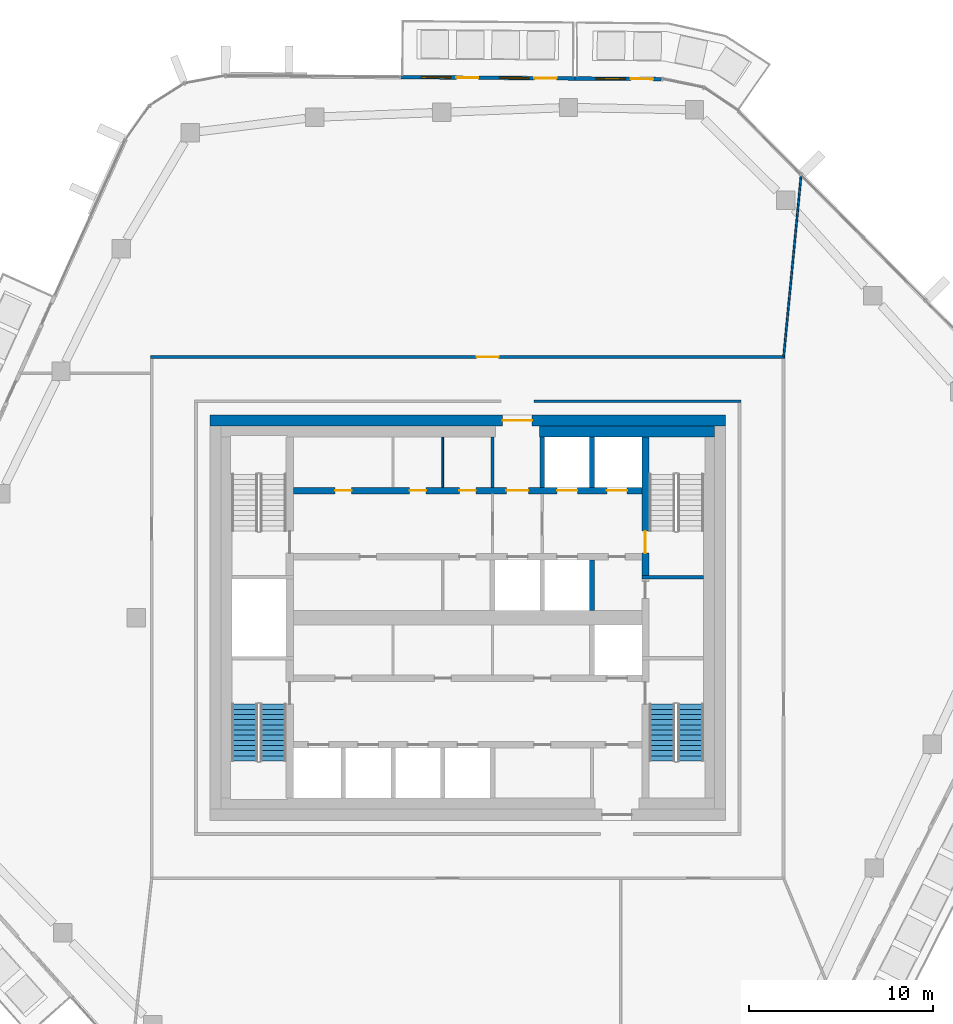
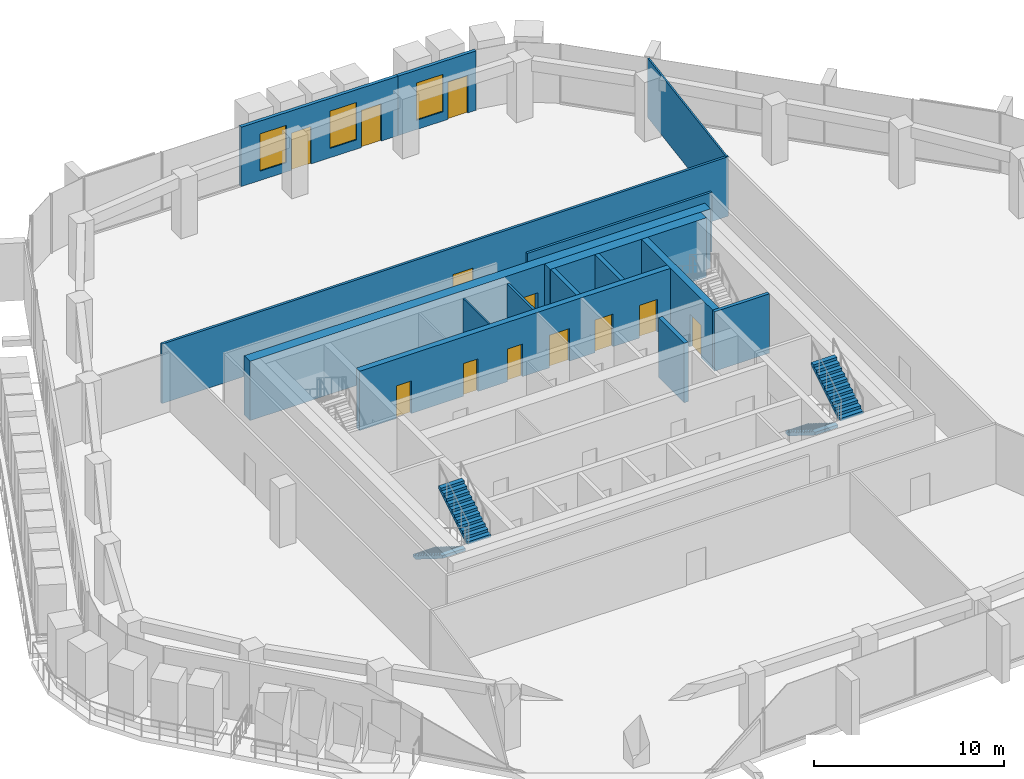
# One storey, part 15 of 23: 15 walls, 12 doors, 4 stair flights, 3 windows, 15 openings, 2 elements without a shape of their own.
"""IFC4 building model written with IfcOpenShell, lengths in metres."""

from ifc_helpers import new_model, si_unit, direction, frame, frame_2d, origin, place, context, subcontext, project, spatial, polyline, rectangle, outline, extrude, material, layer, layer_set, type_object, element, fill, aggregate, save


model = new_model("IFC4")

# Units and contexts
model_context = context("Model", 3, precision=1e-05, world=origin(), true_north=direction((0.0, 1.0)))
body_context = subcontext(model_context, "Body", "Model", "MODEL_VIEW")
ifc_project = project(units=[si_unit("LENGTHUNIT", "METRE"), si_unit("AREAUNIT", "SQUARE_METRE"), si_unit("VOLUMEUNIT", "CUBIC_METRE"), si_unit("PLANEANGLEUNIT", "RADIAN"), si_unit("MASSUNIT", "GRAM", prefix="KILO")], contexts=[model_context])

# Site, building, storey
site_placement = place(None, origin())
site = spatial("IfcSite", under=ifc_project, at=site_placement, CompositionType="ELEMENT")
building_placement = place(site_placement, origin())
building = spatial("IfcBuilding", under=site, at=building_placement, Name="Dongbaek Canopy Tower", CompositionType="ELEMENT")
storey_placement = place(building_placement, frame((0.0, 0.0, 323.60009765625)))
storey = spatial("IfcBuildingStorey", under=building, at=storey_placement, Name="L69", CompositionType="ELEMENT", Elevation=323.60009765625)

# Wall, openings, doors
ifc_material_1 = material(Name="Concrete C60/75", Category="concrete")
ifc_layer_1 = layer(ifc_material_1, 0.35009765625)
ifc_layer_set_1 = layer_set([ifc_layer_1], Name="Core lobby wall 350 Concrete C60/75")
wall_type_1 = type_object("IfcWallType", Name="Core lobby wall 350 Concrete C60/75", PredefinedType="SHEAR", material=ifc_layer_set_1)
wall_1_placement = place(storey_placement, frame((-9.449951171875, 6.89990234375, 0.0), z_axis=(0.0, 0.0, 1.0), x_axis=(1.0, 0.0, 0.0)))
wall_1 = element("IfcWall", 1, at=wall_1_placement, inside=storey, type_object=wall_type_1, Name="Core wall", PredefinedType="SHEAR", context=body_context, shape_type="SweptSolid", body=[
    extrude(rectangle(XDim=18.89990234375, YDim=0.35009765625, at=frame_2d((9.449951171875, 0.0))), origin(), (0.0, 0.0, 1.0), 3.81982421875),
])
opening_1_placement = place(wall_1_placement, frame((11.550048828125, 0.0, 0.0)))
opening_1 = element("IfcOpeningElement", 2, at=opening_1_placement, cuts=wall_1, Name="Opening L69-D008", PredefinedType="OPENING", context=body_context, shape_type="SweptSolid", body=[
    extrude(rectangle(XDim=1.199951171875, YDim=2.10009765625, at=frame_2d((0.60009765625, 1.050048828125))), frame((0.0, 0.18505859375, 0.0), z_axis=(0.0, -1.0, 0.0), x_axis=(1.0, 0.0, 0.0)), (0.0, 0.0, 1.0), 0.3701171875),
])
opening_2_placement = place(wall_1_placement, frame((14.300048828125, 0.0, 0.0)))
opening_2 = element("IfcOpeningElement", 3, at=opening_2_placement, cuts=wall_1, Name="Opening L69-D009", PredefinedType="OPENING", context=body_context, shape_type="SweptSolid", body=[
    extrude(rectangle(XDim=1.10009765625, YDim=2.10009765625, at=frame_2d((0.550048828125, 1.050048828125))), frame((0.0, 0.18505859375, 0.0), z_axis=(0.0, -1.0, 0.0), x_axis=(1.0, 0.0, 0.0)), (0.0, 0.0, 1.0), 0.3701171875),
])
opening_3_placement = place(wall_1_placement, frame((17.0, 0.0, 0.0)))
opening_3 = element("IfcOpeningElement", 4, at=opening_3_placement, cuts=wall_1, Name="Opening L69-D010", PredefinedType="OPENING", context=body_context, shape_type="SweptSolid", body=[
    extrude(rectangle(XDim=1.10009765625, YDim=2.10009765625, at=frame_2d((0.550048828125, 1.050048828125))), frame((0.0, 0.18505859375, 0.0), z_axis=(0.0, -1.0, 0.0), x_axis=(1.0, 0.0, 0.0)), (0.0, 0.0, 1.0), 0.3701171875),
])
opening_4_placement = place(wall_1_placement, frame((2.25, 0.0, 0.0)))
opening_4 = element("IfcOpeningElement", 5, at=opening_4_placement, cuts=wall_1, Name="Opening L69-D021", PredefinedType="OPENING", context=body_context, shape_type="SweptSolid", body=[
    extrude(rectangle(XDim=0.89990234375, YDim=2.10009765625, at=frame_2d((0.449951171875, 1.050048828125))), frame((0.0, 0.18505859375, 0.0), z_axis=(0.0, -1.0, 0.0), x_axis=(1.0, 0.0, 0.0)), (0.0, 0.0, 1.0), 0.3701171875),
])
opening_5_placement = place(wall_1_placement, frame((6.300048828125, 0.0, 0.0)))
opening_5 = element("IfcOpeningElement", 6, at=opening_5_placement, cuts=wall_1, Name="Opening L69-D022", PredefinedType="OPENING", context=body_context, shape_type="SweptSolid", body=[
    extrude(rectangle(XDim=0.89990234375, YDim=2.10009765625, at=frame_2d((0.449951171875, 1.050048828125))), frame((0.0, 0.18505859375, 0.0), z_axis=(0.0, -1.0, 0.0), x_axis=(1.0, 0.0, 0.0)), (0.0, 0.0, 1.0), 0.3701171875),
])
opening_6_placement = place(wall_1_placement, frame((9.0, 0.0, 0.0)))
opening_6 = element("IfcOpeningElement", 7, at=opening_6_placement, cuts=wall_1, Name="Opening L69-D023", PredefinedType="OPENING", context=body_context, shape_type="SweptSolid", body=[
    extrude(rectangle(XDim=0.89990234375, YDim=2.10009765625, at=frame_2d((0.449951171875, 1.050048828125))), frame((0.0, 0.18505859375, 0.0), z_axis=(0.0, -1.0, 0.0), x_axis=(1.0, 0.0, 0.0)), (0.0, 0.0, 1.0), 0.3701171875),
])
ifc_material_2 = material(Name="Steel", Category="steel")
door_type_1 = type_object("IfcDoorType", Name="Core room door 900 x 2100", OperationType="SINGLE_SWING_LEFT", PredefinedType="DOOR", material=ifc_material_2)
door_1_placement = place(opening_4_placement, origin())
door_1 = element("IfcDoor", 8, at=door_1_placement, inside=storey, type_object=door_type_1, Name="Door L69-D021", OperationType="SINGLE_SWING_RIGHT", OverallHeight=2.10009765625, OverallWidth=0.89990234375, PredefinedType="DOOR", context=body_context, shape_type="SweptSolid", body=[
    extrude(rectangle(XDim=0.89990234375, YDim=2.10009765625, at=frame_2d((0.449951171875, 1.050048828125))), frame((0.0, 0.02490234375, 0.0), z_axis=(0.0, -1.0, 0.0), x_axis=(1.0, 0.0, 0.0)), (0.0, 0.0, 1.0), 0.050048828125),
])
fill(opening_4, door_1)
door_2_placement = place(opening_5_placement, origin())
door_2 = element("IfcDoor", 9, at=door_2_placement, inside=storey, type_object=door_type_1, Name="Door L69-D022", OperationType="SINGLE_SWING_LEFT", OverallHeight=2.10009765625, OverallWidth=0.89990234375, PredefinedType="DOOR", context=body_context, shape_type="SweptSolid", body=[
    extrude(rectangle(XDim=0.89990234375, YDim=2.10009765625, at=frame_2d((0.449951171875, 1.050048828125))), frame((0.0, 0.02490234375, 0.0), z_axis=(0.0, -1.0, 0.0), x_axis=(1.0, 0.0, 0.0)), (0.0, 0.0, 1.0), 0.050048828125),
])
fill(opening_5, door_2)
door_3_placement = place(opening_6_placement, origin())
door_3 = element("IfcDoor", 10, at=door_3_placement, inside=storey, type_object=door_type_1, Name="Door L69-D023", OperationType="SINGLE_SWING_RIGHT", OverallHeight=2.10009765625, OverallWidth=0.89990234375, PredefinedType="DOOR", context=body_context, shape_type="SweptSolid", body=[
    extrude(rectangle(XDim=0.89990234375, YDim=2.10009765625, at=frame_2d((0.449951171875, 1.050048828125))), frame((0.0, 0.02490234375, 0.0), z_axis=(0.0, -1.0, 0.0), x_axis=(1.0, 0.0, 0.0)), (0.0, 0.0, 1.0), 0.050048828125),
])
fill(opening_6, door_3)
ifc_material_3 = material(Name="Steel", Category="steel")
door_type_2 = type_object("IfcDoorType", Name="Fire lobby door 1200 x 2100", OperationType="SINGLE_SWING_LEFT", PredefinedType="DOOR", material=ifc_material_3)
door_4_placement = place(opening_1_placement, origin())
door_4 = element("IfcDoor", 11, at=door_4_placement, inside=storey, type_object=door_type_2, Name="Door L69-D008", OperationType="SINGLE_SWING_LEFT", OverallHeight=2.10009765625, OverallWidth=1.199951171875, PredefinedType="DOOR", context=body_context, shape_type="SweptSolid", body=[
    extrude(rectangle(XDim=1.199951171875, YDim=2.10009765625, at=frame_2d((0.60009765625, 1.050048828125))), frame((0.0, 0.02490234375, 0.0), z_axis=(0.0, -1.0, 0.0), x_axis=(1.0, 0.0, 0.0)), (0.0, 0.0, 1.0), 0.050048828125),
])
fill(opening_1, door_4)
ifc_material_4 = material(Name="Stainless steel", Category="steel")
door_type_3 = type_object("IfcDoorType", Name="Lift landing door 1100 x 2100", OperationType="DOUBLE_DOOR_SLIDING", PredefinedType="DOOR", material=ifc_material_4)
door_5_placement = place(opening_2_placement, origin())
door_5 = element("IfcDoor", 12, at=door_5_placement, inside=storey, type_object=door_type_3, Name="Landing door FF1", OperationType="DOUBLE_DOOR_SLIDING", OverallHeight=2.10009765625, OverallWidth=1.10009765625, PredefinedType="DOOR", context=body_context, shape_type="SweptSolid", body=[
    extrude(rectangle(XDim=1.10009765625, YDim=2.10009765625, at=frame_2d((0.550048828125, 1.050048828125))), frame((0.0, 0.02490234375, 0.0), z_axis=(0.0, -1.0, 0.0), x_axis=(1.0, 0.0, 0.0)), (0.0, 0.0, 1.0), 0.050048828125),
])
fill(opening_2, door_5)
door_6_placement = place(opening_3_placement, origin())
door_6 = element("IfcDoor", 13, at=door_6_placement, inside=storey, type_object=door_type_3, Name="Landing door FF2", OperationType="DOUBLE_DOOR_SLIDING", OverallHeight=2.10009765625, OverallWidth=1.10009765625, PredefinedType="DOOR", context=body_context, shape_type="SweptSolid", body=[
    extrude(rectangle(XDim=1.10009765625, YDim=2.10009765625, at=frame_2d((0.550048828125, 1.050048828125))), frame((0.0, 0.02490234375, 0.0), z_axis=(0.0, -1.0, 0.0), x_axis=(1.0, 0.0, 0.0)), (0.0, 0.0, 1.0), 0.050048828125),
])
fill(opening_3, door_6)

# Wall, opening, door
ifc_material_5 = material(Name="Concrete C80/95", Category="concrete")
ifc_layer_2 = layer(ifc_material_5, 0.60009765625)
ifc_layer_set_2 = layer_set([ifc_layer_2], Name="Core outer wall 600 Concrete C80/95")
wall_type_2 = type_object("IfcWallType", Name="Core outer wall 600 Concrete C80/95", PredefinedType="SHEAR", material=ifc_layer_set_2)
wall_2_placement = place(storey_placement, frame((-14.0, 10.699951171875, 0.0), z_axis=(0.0, 0.0, 1.0), x_axis=(1.0, 0.0, 0.0)))
wall_2 = element("IfcWall", 14, at=wall_2_placement, inside=storey, type_object=wall_type_2, Name="Core wall", PredefinedType="SHEAR", context=body_context, shape_type="SweptSolid", body=[
    extrude(rectangle(XDim=28.0, YDim=0.60009765625, at=frame_2d((14.0, 0.0))), origin(), (0.0, 0.0, 1.0), 3.81982421875),
])
opening_7_placement = place(wall_2_placement, frame((15.89990234375, 0.0, 0.0)))
opening_7 = element("IfcOpeningElement", 15, at=opening_7_placement, cuts=wall_2, Name="Opening L69-D007", PredefinedType="OPENING", context=body_context, shape_type="SweptSolid", body=[
    extrude(rectangle(XDim=1.60009765625, YDim=2.10009765625, at=frame_2d((0.800048828125, 1.050048828125))), frame((0.0, 0.31005859375, 0.0), z_axis=(0.0, -1.0, 0.0), x_axis=(1.0, 0.0, 0.0)), (0.0, 0.0, 1.0), 0.6201171875),
])
ifc_material_6 = material(Name="Steel", Category="steel")
door_type_4 = type_object("IfcDoorType", Name="Core exit door 1600 x 2100", OperationType="DOUBLE_DOOR_SINGLE_SWING", PredefinedType="DOOR", material=ifc_material_6)
door_7_placement = place(opening_7_placement, origin())
door_7 = element("IfcDoor", 16, at=door_7_placement, inside=storey, type_object=door_type_4, Name="Core exit door", OperationType="DOUBLE_DOOR_SINGLE_SWING", OverallHeight=2.10009765625, OverallWidth=1.60009765625, PredefinedType="DOOR", context=body_context, shape_type="SweptSolid", body=[
    extrude(rectangle(XDim=1.60009765625, YDim=2.10009765625, at=frame_2d((0.800048828125, 1.050048828125))), frame((0.0, 0.02490234375, 0.0), z_axis=(0.0, -1.0, 0.0), x_axis=(1.0, 0.0, 0.0)), (0.0, 0.0, 1.0), 0.050048828125),
])
fill(opening_7, door_7)

# Walls
ifc_material_7 = material(Name="Concrete C60/75", Category="concrete")
ifc_layer_3 = layer(ifc_material_7, 0.60009765625)
ifc_layer_set_3 = layer_set([ifc_layer_3], Name="Core wall lining 600 Concrete C60/75")
wall_type_3 = type_object("IfcWallType", Name="Core wall lining 600 Concrete C60/75", PredefinedType="SHEAR", material=ifc_layer_set_3)
wall_3_placement = place(storey_placement, frame((3.89990234375, 10.10009765625, 0.0), z_axis=(0.0, 0.0, 1.0), x_axis=(1.0, 0.0, 0.0)))
element("IfcWall", 17, at=wall_3_placement, inside=storey, type_object=wall_type_3, Name="Core wall lining", PredefinedType="SHEAR", context=body_context, shape_type="SweptSolid", body=[
    extrude(rectangle(XDim=9.5, YDim=0.60009765625, at=frame_2d((4.75, 0.0))), origin(), (0.0, 0.0, 1.0), 3.81982421875),
])
ifc_material_8 = material(Name="Gypsum board partition, steel stud, 2 x 15 mm fire board", Category="steel")
ifc_layer_4 = layer(ifc_material_8, 0.14990234375)
ifc_layer_set_4 = layer_set([ifc_layer_4], Name="Fire-rated partition 150 gypsum board")
wall_type_4 = type_object("IfcWallType", Name="Fire-rated partition 150 gypsum board", PredefinedType="PARTITIONING", material=ifc_layer_set_4)
wall_4_placement = place(storey_placement, frame((3.60009765625, 11.75, 0.0), z_axis=(0.0, 0.0, 1.0), x_axis=(1.0, 0.0, 0.0)))
element("IfcWall", 18, at=wall_4_placement, inside=storey, type_object=wall_type_4, Name="Corridor partition", PredefinedType="PARTITIONING", context=body_context, shape_type="SweptSolid", body=[
    extrude(rectangle(XDim=11.224853515625, YDim=0.14990234375, at=frame_2d((5.6123046875, 0.0))), origin(), (0.0, 0.0, 1.0), 3.81982421875),
])

# Wall, opening, door
wall_5_placement = place(storey_placement, frame((-17.22509765625, 14.14990234375, 0.0), z_axis=(0.0, 0.0, 1.0), x_axis=(1.0, 0.0, 0.0)))
wall_5 = element("IfcWall", 19, at=wall_5_placement, inside=storey, type_object=wall_type_4, Name="Corridor partition", PredefinedType="PARTITIONING", context=body_context, shape_type="SweptSolid", body=[
    extrude(rectangle(XDim=34.4501953125, YDim=0.14990234375, at=frame_2d((17.22509765625, 0.0))), origin(), (0.0, 0.0, 1.0), 3.81982421875),
])
opening_8_placement = place(wall_5_placement, frame((17.706298828125, 0.0, 0.0)))
opening_8 = element("IfcOpeningElement", 20, at=opening_8_placement, cuts=wall_5, Name="Opening L69-D005", PredefinedType="OPENING", context=body_context, shape_type="SweptSolid", body=[
    extrude(rectangle(XDim=1.199951171875, YDim=2.10009765625, at=frame_2d((0.60009765625, 1.050048828125))), frame((0.0, 0.0849609375, 0.0), z_axis=(0.0, -1.0, 0.0), x_axis=(1.0, 0.0, 0.0)), (0.0, 0.0, 1.0), 0.169921875),
])
ifc_material_9 = material(Name="Timber veneered door leaf", Category="wood")
door_type_5 = type_object("IfcDoorType", Name="Room door 1200 x 2100", OperationType="SINGLE_SWING_LEFT", PredefinedType="DOOR", material=ifc_material_9)
door_8_placement = place(opening_8_placement, origin())
door_8 = element("IfcDoor", 21, at=door_8_placement, inside=storey, type_object=door_type_5, Name="Door L69-D005", OperationType="SINGLE_SWING_RIGHT", OverallHeight=2.10009765625, OverallWidth=1.199951171875, PredefinedType="DOOR", context=body_context, shape_type="SweptSolid", body=[
    extrude(rectangle(XDim=1.199951171875, YDim=2.10009765625, at=frame_2d((0.60009765625, 1.050048828125))), frame((0.0, 0.02490234375, 0.0), z_axis=(0.0, -1.0, 0.0), x_axis=(1.0, 0.0, 0.0)), (0.0, 0.0, 1.0), 0.050048828125),
])
fill(opening_8, door_8)

# Walls
wall_6_placement = place(storey_placement, frame((1.35009765625, 7.074951171875, 0.0), z_axis=(0.0, 0.0, 1.0), x_axis=(0.0, 1.0, 0.0)))
element("IfcWall", 22, at=wall_6_placement, inside=storey, type_object=wall_type_4, Name="Fire lobby partition", PredefinedType="PARTITIONING", context=body_context, shape_type="SweptSolid", body=[
    extrude(rectangle(XDim=2.72509765625, YDim=0.14990234375, at=frame_2d((1.362548828125, 0.0))), origin(), (0.0, 0.0, 1.0), 3.81982421875),
])
ifc_material_10 = material(Name="Concrete C40/50", Category="concrete")
ifc_layer_5 = layer(ifc_material_10, 0.25)
ifc_layer_set_5 = layer_set([ifc_layer_5], Name="Lift shaft wall 250 Concrete C40/50")
wall_type_5 = type_object("IfcWallType", Name="Lift shaft wall 250 Concrete C40/50", PredefinedType="SOLIDWALL", material=ifc_layer_set_5)
for number, where, z_axis, x_axis, name in (
    (23, (6.75, 0.39990234375, 0.0), (0.0, 0.0, 1.0), (0.0, 1.0, 0.0), "Lift shaft wall"),
    (24, (6.75, 7.074951171875, 0.0), (0.0, 0.0, 1.0), (0.0, 1.0, 0.0), "Lift shaft wall"),
    (25, (4.050048828125, 7.074951171875, 0.0), (0.0, 0.0, 1.0), (0.0, 1.0, 0.0), "Lift shaft wall"),
):
    element("IfcWall", number, at=place(storey_placement, frame(where, z_axis=z_axis, x_axis=x_axis)), inside=storey, type_object=wall_type_5, Name=name, PredefinedType="SOLIDWALL", context=body_context, shape_type="SweptSolid", body=[
        extrude(rectangle(XDim=2.72509765625, YDim=0.25, at=frame_2d((1.362548828125, 0.0))), origin(), (0.0, 0.0, 1.0), 3.81982421875),
    ])
ifc_material_11 = material(Name="Gypsum board partition, steel stud, 2 x 12.5 mm board", Category="steel")
ifc_layer_6 = layer(ifc_material_11, 0.10009765625)
ifc_layer_set_6 = layer_set([ifc_layer_6], Name="Partition 100 gypsum board")
wall_type_6 = type_object("IfcWallType", Name="Partition 100 gypsum board", PredefinedType="PARTITIONING", material=ifc_layer_set_6)
wall_7_placement = place(storey_placement, frame((17.150390625, 14.14990234375, 0.0), z_axis=(0.0, 0.0, 1.0), x_axis=(0.095686172631, 0.995411551253, 0.0)))
element("IfcWall", 26, at=wall_7_placement, inside=storey, type_object=wall_type_6, Name="Partition", PredefinedType="PARTITIONING", context=body_context, shape_type="SweptSolid", body=[
    extrude(rectangle(XDim=9.930419921875, YDim=0.10009765625, at=frame_2d((4.96533203125, 0.0))), origin(), (0.0, 0.0, 1.0), 3.81982421875),
])
wall_8_placement = place(storey_placement, frame((-1.35009765625, 7.074951171875, 0.0), z_axis=(0.0, 0.0, 1.0), x_axis=(0.0, 1.0, 0.0)))
element("IfcWall", 27, at=wall_8_placement, inside=storey, type_object=wall_type_6, Name="Core partition", PredefinedType="PARTITIONING", context=body_context, shape_type="SweptSolid", body=[
    extrude(rectangle(XDim=2.72509765625, YDim=0.10009765625, at=frame_2d((1.362548828125, 0.0))), origin(), (0.0, 0.0, 1.0), 3.81982421875),
])
ifc_material_12 = material(Name="Concrete C60/75", Category="concrete")
ifc_layer_7 = layer(ifc_material_12, 0.199951171875)
ifc_layer_set_7 = layer_set([ifc_layer_7], Name="Riser wall 200 Concrete C60/75")
wall_type_7 = type_object("IfcWallType", Name="Riser wall 200 Concrete C60/75", PredefinedType="SHEAR", material=ifc_layer_set_7)
wall_9_placement = place(storey_placement, frame((9.449951171875, 2.199951171875, 0.0), z_axis=(0.0, 0.0, 1.0), x_axis=(1.0, 0.0, 0.0)))
element("IfcWall", 28, at=wall_9_placement, inside=storey, type_object=wall_type_7, Name="Riser wall", PredefinedType="SHEAR", context=body_context, shape_type="SweptSolid", body=[
    extrude(rectangle(XDim=3.35009765625, YDim=0.199951171875, at=frame_2d((1.675048828125, 0.0))), origin(), (0.0, 0.0, 1.0), 3.81982421875),
])

# Wall, opening, door
ifc_material_13 = material(Name="Concrete C60/75", Category="concrete")
ifc_layer_8 = layer(ifc_material_13, 0.39990234375)
ifc_layer_set_8 = layer_set([ifc_layer_8], Name="Stair wall 400 Concrete C60/75")
wall_type_8 = type_object("IfcWallType", Name="Stair wall 400 Concrete C60/75", PredefinedType="SHEAR", material=ifc_layer_set_8)
wall_10_placement = place(storey_placement, frame((9.64990234375, 9.800048828125, 0.0), z_axis=(0.0, 0.0, 1.0), x_axis=(0.0, -1.0, 0.0)))
wall_10 = element("IfcWall", 29, at=wall_10_placement, inside=storey, type_object=wall_type_8, Name="Stair wall", PredefinedType="SHEAR", context=body_context, shape_type="SweptSolid", body=[
    extrude(rectangle(XDim=7.5, YDim=0.39990234375, at=frame_2d((3.75, 0.0))), origin(), (0.0, 0.0, 1.0), 3.81982421875),
])
opening_9_placement = place(wall_10_placement, frame((5.10009765625, 0.0, 0.0)))
opening_9 = element("IfcOpeningElement", 30, at=opening_9_placement, cuts=wall_10, Name="Opening L69-D030", PredefinedType="OPENING", context=body_context, shape_type="SweptSolid", body=[
    extrude(rectangle(XDim=1.199951171875, YDim=2.10009765625, at=frame_2d((0.60009765625, 1.050048828125))), frame((0.0, 0.2099609375, 0.0), z_axis=(0.0, -1.0, 0.0), x_axis=(1.0, 0.0, 0.0)), (0.0, 0.0, 1.0), 0.419921875),
])
ifc_material_14 = material(Name="Steel", Category="steel")
door_type_6 = type_object("IfcDoorType", Name="Stair door 1200 x 2100", OperationType="SINGLE_SWING_LEFT", PredefinedType="DOOR", material=ifc_material_14)
door_9_placement = place(opening_9_placement, origin())
door_9 = element("IfcDoor", 31, at=door_9_placement, inside=storey, type_object=door_type_6, Name="Stair A door", OperationType="SINGLE_SWING_LEFT", OverallHeight=2.10009765625, OverallWidth=1.199951171875, PredefinedType="DOOR", context=body_context, shape_type="SweptSolid", body=[
    extrude(rectangle(XDim=1.199951171875, YDim=2.10009765625, at=frame_2d((0.60009765625, 1.050048828125))), frame((0.0, 0.02490234375, 0.0), z_axis=(0.0, -1.0, 0.0), x_axis=(1.0, 0.0, 0.0)), (0.0, 0.0, 1.0), 0.050048828125),
])
fill(opening_9, door_9)

# Wall, openings, doors, windows
ifc_material_15 = material(Name="Aluminium window wall", Category="aluminium")
ifc_layer_9 = layer(ifc_material_15, 0.199951171875)
ifc_layer_set_9 = layer_set([ifc_layer_9], Name="Window wall 200")
wall_type_9 = type_object("IfcWallType", Name="Window wall 200", PredefinedType="SOLIDWALL", material=ifc_layer_set_9)
wall_11_placement = place(storey_placement, frame((5.82666015625, 29.267333984375, 0.0), z_axis=(0.0, 0.0, 1.0), x_axis=(-0.999969823552, 0.007768653994, 0.0)))
wall_11 = element("IfcWall", 32, at=wall_11_placement, inside=storey, type_object=wall_type_9, Name="Window wall L69 1", PredefinedType="SOLIDWALL", context=body_context, shape_type="SweptSolid", body=[
    extrude(rectangle(XDim=9.49072265625, YDim=0.199951171875, at=frame_2d((4.745361328125, 0.0))), origin(), (0.0, 0.0, 1.0), 3.81982421875),
])
opening_10_placement = place(wall_11_placement, frame((2.5, 0.0, 0.60009765625)))
opening_10 = element("IfcOpeningElement", 33, at=opening_10_placement, cuts=wall_11, Name="Opening W1", PredefinedType="OPENING", context=body_context, shape_type="SweptSolid", body=[
    extrude(rectangle(XDim=1.60009765625, YDim=2.39990234375, at=frame_2d((0.800048828125, 1.199951171875))), frame((0.0, 0.10986328125, 0.0), z_axis=(0.0, -1.0, 0.0), x_axis=(1.0, 0.0, 0.0)), (0.0, 0.0, 1.0), 0.219970703125),
])
opening_11_placement = place(wall_11_placement, frame((1.0, 0.0, 0.0)))
opening_11 = element("IfcOpeningElement", 34, at=opening_11_placement, cuts=wall_11, Name="Opening L69-B01", PredefinedType="OPENING", context=body_context, shape_type="SweptSolid", body=[
    extrude(rectangle(XDim=1.199951171875, YDim=2.39990234375, at=frame_2d((0.60009765625, 1.199951171875))), frame((0.0, 0.10986328125, 0.0), z_axis=(0.0, -1.0, 0.0), x_axis=(1.0, 0.0, 0.0)), (0.0, 0.0, 1.0), 0.219970703125),
])
opening_12_placement = place(wall_11_placement, frame((6.745361328125, 0.0, 0.60009765625)))
opening_12 = element("IfcOpeningElement", 35, at=opening_12_placement, cuts=wall_11, Name="Opening W1", PredefinedType="OPENING", context=body_context, shape_type="SweptSolid", body=[
    extrude(rectangle(XDim=1.60009765625, YDim=2.39990234375, at=frame_2d((0.800048828125, 1.199951171875))), frame((0.0, 0.10986328125, 0.0), z_axis=(0.0, -1.0, 0.0), x_axis=(1.0, 0.0, 0.0)), (0.0, 0.0, 1.0), 0.219970703125),
])
opening_13_placement = place(wall_11_placement, frame((5.245361328125, 0.0, 0.0)))
opening_13 = element("IfcOpeningElement", 36, at=opening_13_placement, cuts=wall_11, Name="Opening L69-B02", PredefinedType="OPENING", context=body_context, shape_type="SweptSolid", body=[
    extrude(rectangle(XDim=1.199951171875, YDim=2.39990234375, at=frame_2d((0.60009765625, 1.199951171875))), frame((0.0, 0.10986328125, 0.0), z_axis=(0.0, -1.0, 0.0), x_axis=(1.0, 0.0, 0.0)), (0.0, 0.0, 1.0), 0.219970703125),
])
ifc_material_16 = material(Name="Clear glazing in aluminium frame", Category="aluminium")
door_type_7 = type_object("IfcDoorType", Name="Balcony door BD1 1200 x 2400", OperationType="SLIDING_TO_LEFT", PredefinedType="DOOR", material=ifc_material_16)
door_10_placement = place(opening_11_placement, origin())
door_10 = element("IfcDoor", 37, at=door_10_placement, inside=storey, type_object=door_type_7, Name="Balcony door L69-B01", OperationType="SLIDING_TO_LEFT", OverallHeight=2.39990234375, OverallWidth=1.199951171875, PredefinedType="DOOR", context=body_context, shape_type="SweptSolid", body=[
    extrude(rectangle(XDim=1.199951171875, YDim=2.39990234375, at=frame_2d((0.60009765625, 1.199951171875))), frame((0.0, 0.02490234375, 0.0), z_axis=(0.0, -1.0, 0.0), x_axis=(1.0, 0.0, 0.0)), (0.0, 0.0, 1.0), 0.050048828125),
])
fill(opening_11, door_10)
door_11_placement = place(opening_13_placement, origin())
door_11 = element("IfcDoor", 38, at=door_11_placement, inside=storey, type_object=door_type_7, Name="Balcony door L69-B02", OperationType="SLIDING_TO_LEFT", OverallHeight=2.39990234375, OverallWidth=1.199951171875, PredefinedType="DOOR", context=body_context, shape_type="SweptSolid", body=[
    extrude(rectangle(XDim=1.199951171875, YDim=2.39990234375, at=frame_2d((0.60009765625, 1.199951171875))), frame((0.0, 0.02490234375, 0.0), z_axis=(0.0, -1.0, 0.0), x_axis=(1.0, 0.0, 0.0)), (0.0, 0.0, 1.0), 0.050048828125),
])
fill(opening_13, door_11)
ifc_material_17 = material(Name="Clear glazing in aluminium frame", Category="aluminium")
window_type = type_object("IfcWindowType", Name="Window W1 1600 x 2400", PartitioningType="SINGLE_PANEL", PredefinedType="WINDOW", material=ifc_material_17)
window_1_placement = place(opening_10_placement, origin())
window_1 = element("IfcWindow", 39, at=window_1_placement, inside=storey, type_object=window_type, Name="Window L69 1.1", OverallHeight=2.39990234375, OverallWidth=1.60009765625, PartitioningType="SINGLE_PANEL", PredefinedType="WINDOW", context=body_context, shape_type="SweptSolid", body=[
    extrude(rectangle(XDim=1.60009765625, YDim=2.39990234375, at=frame_2d((0.800048828125, 1.199951171875))), frame((0.0, 0.030029296875, 0.0), z_axis=(0.0, -1.0, 0.0), x_axis=(1.0, 0.0, 0.0)), (0.0, 0.0, 1.0), 0.06005859375),
])
fill(opening_10, window_1)
window_2_placement = place(opening_12_placement, origin())
window_2 = element("IfcWindow", 40, at=window_2_placement, inside=storey, type_object=window_type, Name="Window L69 1.2", OverallHeight=2.39990234375, OverallWidth=1.60009765625, PartitioningType="SINGLE_PANEL", PredefinedType="WINDOW", context=body_context, shape_type="SweptSolid", body=[
    extrude(rectangle(XDim=1.60009765625, YDim=2.39990234375, at=frame_2d((0.800048828125, 1.199951171875))), frame((0.0, 0.030029296875, 0.0), z_axis=(0.0, -1.0, 0.0), x_axis=(1.0, 0.0, 0.0)), (0.0, 0.0, 1.0), 0.06005859375),
])
fill(opening_12, window_2)

# Wall, openings, door, window
wall_12_placement = place(storey_placement, frame((10.56201171875, 29.23046875, 0.0), z_axis=(0.0, 0.0, 1.0), x_axis=(-0.999969697406, 0.007784874423, 0.0)))
wall_12 = element("IfcWall", 41, at=wall_12_placement, inside=storey, type_object=wall_type_9, Name="Window wall L69 5", PredefinedType="SOLIDWALL", context=body_context, shape_type="SweptSolid", body=[
    extrude(rectangle(XDim=4.735595703125, YDim=0.199951171875, at=frame_2d((2.36767578125, 0.0))), origin(), (0.0, 0.0, 1.0), 3.81982421875),
])
opening_14_placement = place(wall_12_placement, frame((2.0, 0.0, 0.60009765625)))
opening_14 = element("IfcOpeningElement", 42, at=opening_14_placement, cuts=wall_12, Name="Opening W1", PredefinedType="OPENING", context=body_context, shape_type="SweptSolid", body=[
    extrude(rectangle(XDim=1.60009765625, YDim=2.39990234375, at=frame_2d((0.800048828125, 1.199951171875))), frame((0.0, 0.10986328125, 0.0), z_axis=(0.0, -1.0, 0.0), x_axis=(1.0, 0.0, 0.0)), (0.0, 0.0, 1.0), 0.219970703125),
])
opening_15_placement = place(wall_12_placement, frame((0.5, 0.0, 0.0)))
opening_15 = element("IfcOpeningElement", 43, at=opening_15_placement, cuts=wall_12, Name="Opening L69-B03", PredefinedType="OPENING", context=body_context, shape_type="SweptSolid", body=[
    extrude(rectangle(XDim=1.199951171875, YDim=2.39990234375, at=frame_2d((0.60009765625, 1.199951171875))), frame((0.0, 0.10986328125, 0.0), z_axis=(0.0, -1.0, 0.0), x_axis=(1.0, 0.0, 0.0)), (0.0, 0.0, 1.0), 0.219970703125),
])
door_12_placement = place(opening_15_placement, origin())
door_12 = element("IfcDoor", 44, at=door_12_placement, inside=storey, type_object=door_type_7, Name="Balcony door L69-B03", OperationType="SLIDING_TO_LEFT", OverallHeight=2.39990234375, OverallWidth=1.199951171875, PredefinedType="DOOR", context=body_context, shape_type="SweptSolid", body=[
    extrude(rectangle(XDim=1.199951171875, YDim=2.39990234375, at=frame_2d((0.60009765625, 1.199951171875))), frame((0.0, 0.02490234375, 0.0), z_axis=(0.0, -1.0, 0.0), x_axis=(1.0, 0.0, 0.0)), (0.0, 0.0, 1.0), 0.050048828125),
])
fill(opening_15, door_12)
window_3_placement = place(opening_14_placement, origin())
window_3 = element("IfcWindow", 45, at=window_3_placement, inside=storey, type_object=window_type, Name="Window L69 5.1", OverallHeight=2.39990234375, OverallWidth=1.60009765625, PartitioningType="SINGLE_PANEL", PredefinedType="WINDOW", context=body_context, shape_type="SweptSolid", body=[
    extrude(rectangle(XDim=1.60009765625, YDim=2.39990234375, at=frame_2d((0.800048828125, 1.199951171875))), frame((0.0, 0.030029296875, 0.0), z_axis=(0.0, -1.0, 0.0), x_axis=(1.0, 0.0, 0.0)), (0.0, 0.0, 1.0), 0.06005859375),
])
fill(opening_14, window_3)

# Stair, stair flights
ifc_material_18 = material(Name="Concrete C40/50", Category="concrete")
stair_type = type_object("IfcStairType", Name="Core exit stair", PredefinedType="HALF_TURN_STAIR", material=ifc_material_18)
stair_1_placement = place(storey_placement, origin())
stair_1 = element("IfcStair", 46, at=stair_1_placement, inside=storey, type_object=stair_type, Name="L69 exit stair B", PredefinedType="HALF_TURN_STAIR")
ifc_material_19 = material(Name="Concrete C40/50", Category="concrete")
ifc_layer_10 = layer(ifc_material_19, 0.14990234375)
ifc_layer_set_10 = layer_set([ifc_layer_10], Name="Core stair flight 150 waist")
stair_flight_type = type_object("IfcStairFlightType", Name="Core stair flight 150 waist", PredefinedType="STRAIGHT", material=ifc_layer_set_10)
stair_flight_1_placement = place(storey_placement, frame((10.550048828125, -4.699951171875, 0.0), z_axis=(0.0, 0.0, 1.0), x_axis=(0.0, -1.0, 0.0)))
stair_flight_1 = element("IfcStairFlight", 47, at=stair_flight_1_placement, type_object=stair_flight_type, Name="ST-B flight 1", NumberOfRisers=12, NumberOfTreads=11, PredefinedType="STRAIGHT", RiserHeight=0.175, TreadLength=0.28, context=body_context, shape_type="SweptSolid", body=[
    extrude(outline(polyline([(0.0, 0.0), (0.0, 0.175048828125), (0.280029296875, 0.175048828125), (0.280029296875, 0.35009765625), (0.56005859375, 0.35009765625), (0.56005859375, 0.52490234375), (0.840087890625, 0.52490234375), (0.840087890625, 0.699951171875), (1.1201171875, 0.699951171875), (1.1201171875, 0.875), (1.39990234375, 0.875), (1.39990234375, 1.050048828125), (1.679931640625, 1.050048828125), (1.679931640625, 1.22509765625), (1.9599609375, 1.22509765625), (1.9599609375, 1.39990234375), (2.239990234375, 1.39990234375), (2.239990234375, 1.574951171875), (2.52001953125, 1.574951171875), (2.52001953125, 1.75), (2.800048828125, 1.75), (2.800048828125, 1.925048828125), (3.080078125, 1.925048828125), (3.080078125, 2.10009765625), (3.080078125, 1.748291015625), (0.28271484375, 0.0), (0.0, 0.0)])), frame((0.0, 0.699951171875, 0.0), z_axis=(0.0, -1.0, 0.0), x_axis=(1.0, 0.0, 0.0)), (0.0, 0.0, 1.0), 1.39990234375),
])
stair_flight_2_placement = place(storey_placement, frame((12.10009765625, -7.780029296875, 2.099853515625), z_axis=(0.0, 0.0, 1.0), x_axis=(0.0, 1.0, 0.0)))
stair_flight_2 = element("IfcStairFlight", 48, at=stair_flight_2_placement, type_object=stair_flight_type, Name="ST-B flight 2", NumberOfRisers=12, NumberOfTreads=11, PredefinedType="STRAIGHT", RiserHeight=0.175, TreadLength=0.28, context=body_context, shape_type="SweptSolid", body=[
    extrude(outline(polyline([(0.0, 0.0), (0.0, 0.175048828125), (0.280029296875, 0.175048828125), (0.280029296875, 0.35009765625), (0.56005859375, 0.35009765625), (0.56005859375, 0.52490234375), (0.840087890625, 0.52490234375), (0.840087890625, 0.699951171875), (1.1201171875, 0.699951171875), (1.1201171875, 0.875), (1.39990234375, 0.875), (1.39990234375, 1.050048828125), (1.679931640625, 1.050048828125), (1.679931640625, 1.22509765625), (1.9599609375, 1.22509765625), (1.9599609375, 1.39990234375), (2.239990234375, 1.39990234375), (2.239990234375, 1.574951171875), (2.52001953125, 1.574951171875), (2.52001953125, 1.75), (2.800048828125, 1.75), (2.800048828125, 1.925048828125), (3.080078125, 1.925048828125), (3.080078125, 2.10009765625), (3.080078125, 1.748291015625), (0.28271484375, 0.0), (0.0, 0.0)])), frame((0.0, 0.699951171875, 0.0), z_axis=(0.0, -1.0, 0.0), x_axis=(1.0, 0.0, 0.0)), (0.0, 0.0, 1.0), 1.39990234375),
])
aggregate(stair_1, [stair_flight_1, stair_flight_2])

stair_2_placement = place(storey_placement, origin())
stair_2 = element("IfcStair", 49, at=stair_2_placement, inside=storey, type_object=stair_type, Name="L69 exit stair D", PredefinedType="HALF_TURN_STAIR")
stair_flight_3_placement = place(storey_placement, frame((-12.10009765625, -4.699951171875, 0.0), z_axis=(0.0, 0.0, 1.0), x_axis=(0.0, -1.0, 0.0)))
stair_flight_3 = element("IfcStairFlight", 50, at=stair_flight_3_placement, type_object=stair_flight_type, Name="ST-D flight 1", NumberOfRisers=12, NumberOfTreads=11, PredefinedType="STRAIGHT", RiserHeight=0.175, TreadLength=0.28, context=body_context, shape_type="SweptSolid", body=[
    extrude(outline(polyline([(0.0, 0.0), (0.0, 0.175048828125), (0.280029296875, 0.175048828125), (0.280029296875, 0.35009765625), (0.56005859375, 0.35009765625), (0.56005859375, 0.52490234375), (0.840087890625, 0.52490234375), (0.840087890625, 0.699951171875), (1.1201171875, 0.699951171875), (1.1201171875, 0.875), (1.39990234375, 0.875), (1.39990234375, 1.050048828125), (1.679931640625, 1.050048828125), (1.679931640625, 1.22509765625), (1.9599609375, 1.22509765625), (1.9599609375, 1.39990234375), (2.239990234375, 1.39990234375), (2.239990234375, 1.574951171875), (2.52001953125, 1.574951171875), (2.52001953125, 1.75), (2.800048828125, 1.75), (2.800048828125, 1.925048828125), (3.080078125, 1.925048828125), (3.080078125, 2.10009765625), (3.080078125, 1.748291015625), (0.28271484375, 0.0), (0.0, 0.0)])), frame((0.0, 0.699951171875, 0.0), z_axis=(0.0, -1.0, 0.0), x_axis=(1.0, 0.0, 0.0)), (0.0, 0.0, 1.0), 1.39990234375),
])
stair_flight_4_placement = place(storey_placement, frame((-10.550048828125, -7.780029296875, 2.099853515625), z_axis=(0.0, 0.0, 1.0), x_axis=(0.0, 1.0, 0.0)))
stair_flight_4 = element("IfcStairFlight", 51, at=stair_flight_4_placement, type_object=stair_flight_type, Name="ST-D flight 2", NumberOfRisers=12, NumberOfTreads=11, PredefinedType="STRAIGHT", RiserHeight=0.175, TreadLength=0.28, context=body_context, shape_type="SweptSolid", body=[
    extrude(outline(polyline([(0.0, 0.0), (0.0, 0.175048828125), (0.280029296875, 0.175048828125), (0.280029296875, 0.35009765625), (0.56005859375, 0.35009765625), (0.56005859375, 0.52490234375), (0.840087890625, 0.52490234375), (0.840087890625, 0.699951171875), (1.1201171875, 0.699951171875), (1.1201171875, 0.875), (1.39990234375, 0.875), (1.39990234375, 1.050048828125), (1.679931640625, 1.050048828125), (1.679931640625, 1.22509765625), (1.9599609375, 1.22509765625), (1.9599609375, 1.39990234375), (2.239990234375, 1.39990234375), (2.239990234375, 1.574951171875), (2.52001953125, 1.574951171875), (2.52001953125, 1.75), (2.800048828125, 1.75), (2.800048828125, 1.925048828125), (3.080078125, 1.925048828125), (3.080078125, 2.10009765625), (3.080078125, 1.748291015625), (0.28271484375, 0.0), (0.0, 0.0)])), frame((0.0, 0.699951171875, 0.0), z_axis=(0.0, -1.0, 0.0), x_axis=(1.0, 0.0, 0.0)), (0.0, 0.0, 1.0), 1.39990234375),
])
aggregate(stair_2, [stair_flight_3, stair_flight_4])

save(model, "model.ifc")
